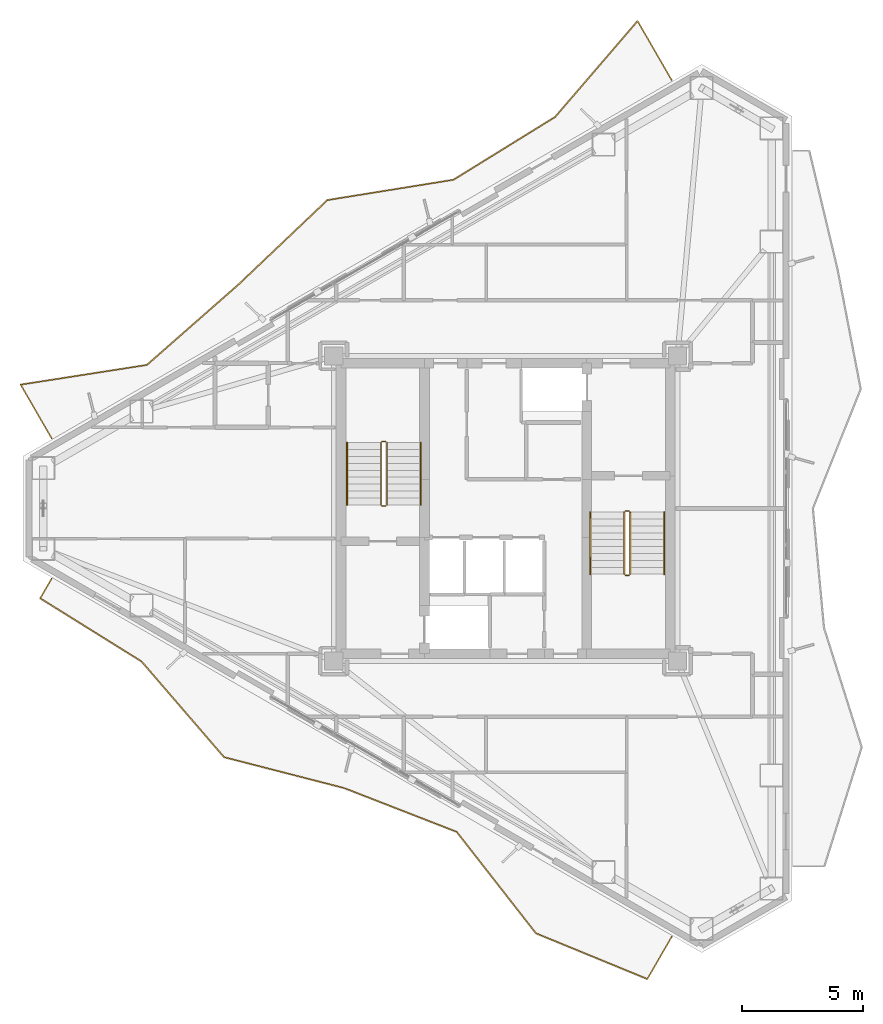
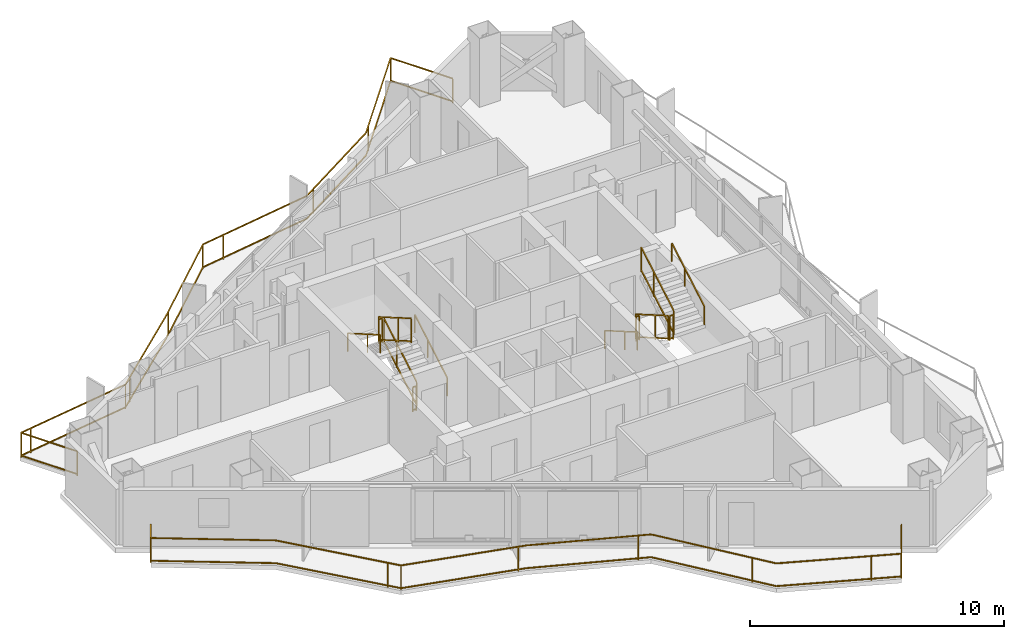
# One storey, part 20 of 21: 14 railings.
"""IFC4 building model written with IfcOpenShell, lengths in metres."""

from ifc_helpers import new_model, si_unit, direction, frame, origin, origin_2d, place, context, subcontext, project, spatial, rectangle, extrude, material, type_object, element, save


model = new_model("IFC4")

# Units and contexts
model_context = context("Model", 3, precision=1e-05, world=origin(), true_north=direction((0.0, 1.0)))
body_context = subcontext(model_context, "Body", "Model", "MODEL_VIEW")
ifc_project = project(units=[si_unit("LENGTHUNIT", "METRE"), si_unit("AREAUNIT", "SQUARE_METRE"), si_unit("VOLUMEUNIT", "CUBIC_METRE"), si_unit("PLANEANGLEUNIT", "RADIAN"), si_unit("MASSUNIT", "GRAM", prefix="KILO")], contexts=[model_context])

# Site, building, storey
site_placement = place(None, origin())
site = spatial("IfcSite", under=ifc_project, at=site_placement, CompositionType="ELEMENT")
building_placement = place(site_placement, origin())
building = spatial("IfcBuilding", under=site, at=building_placement, Name="Mersakhor Tower and Convention Hall", CompositionType="ELEMENT")
storey_placement = place(building_placement, frame((0.0, 0.0, 185.39990234375)))
storey = spatial("IfcBuildingStorey", under=building, at=storey_placement, Name="L51", CompositionType="ELEMENT", Elevation=185.39990234375)

# Railings
ifc_material_1 = material(Name="Powder-coated galvanised steel and laminated glass balustrade", Category="steel")
railing_type_1 = type_object("IfcRailingType", Name="RL-BAL-1200", PredefinedType="BALUSTRADE", material=ifc_material_1)
railing_1_placement = place(storey_placement, frame((35.86669921875, 44.44189453125, 0.0)))
element("IfcRailing", 1, at=railing_1_placement, inside=storey, type_object=railing_type_1, Name="L51 Sinusoidal Balcony Balustrade F1", PredefinedType="BALUSTRADE", context=body_context, shape_type="SweptSolid", body=[
    extrude(rectangle(XDim=0.048095703125, YDim=0.048095703125, at=origin_2d()), frame((0.0, 0.0, 1.17578125), z_axis=(-0.499947271324, 0.866055844559, 0.0), x_axis=(-0.866055844559, -0.499947271324, 0.0)), (0.0, 0.0, 1.0), 2.820068359375),
    extrude(rectangle(XDim=0.048095703125, YDim=0.048095703125, at=origin_2d()), frame((0.0, 0.0, 0.080078125), z_axis=(-0.499947271324, 0.866055844559, 0.0), x_axis=(-0.866055844559, -0.499947271324, 0.0)), (0.0, 0.0, 1.0), 2.820068359375),
    extrude(rectangle(XDim=0.048095703125, YDim=0.048095703125, at=origin_2d()), frame((-1.409912109375, 2.4423828125, 1.17578125), z_axis=(-0.651637408429, -0.758530611074, 0.0), x_axis=(0.758530611074, -0.651637408429, 0.0)), (0.0, 0.0, 1.0), 5.225830078125),
    extrude(rectangle(XDim=0.048095703125, YDim=0.048095703125, at=origin_2d()), frame((-1.409912109375, 2.4423828125, 0.080078125), z_axis=(-0.651637408429, -0.758530611074, 0.0), x_axis=(0.758530611074, -0.651637408429, 0.0)), (0.0, 0.0, 1.0), 5.225830078125),
    extrude(rectangle(XDim=0.048095703125, YDim=0.048095703125, at=origin_2d()), frame((-4.815185546875, -1.521484375, 1.17578125), z_axis=(-0.850659356328, -0.525717280952, 0.0), x_axis=(0.525717280952, -0.850659356328, 0.0)), (0.0, 0.0, 1.0), 4.933349609375),
    extrude(rectangle(XDim=0.048095703125, YDim=0.048095703125, at=origin_2d()), frame((-4.815185546875, -1.521484375, 0.080078125), z_axis=(-0.850659356328, -0.525717280952, 0.0), x_axis=(0.525717280952, -0.850659356328, 0.0)), (0.0, 0.0, 1.0), 4.933349609375),
    extrude(rectangle(XDim=0.048095703125, YDim=0.048095703125, at=origin_2d()), frame((-9.01171875, -4.114990234375, 1.17578125), z_axis=(-0.987273480259, -0.159031679789, 0.0), x_axis=(0.159031679789, -0.987273480259, 0.0)), (0.0, 0.0, 1.0), 5.2763671875),
    extrude(rectangle(XDim=0.048095703125, YDim=0.048095703125, at=origin_2d()), frame((-9.01171875, -4.114990234375, 0.080078125), z_axis=(-0.987273480259, -0.159031679789, 0.0), x_axis=(0.159031679789, -0.987273480259, 0.0)), (0.0, 0.0, 1.0), 5.2763671875),
    extrude(rectangle(XDim=0.048095703125, YDim=0.048095703125, at=origin_2d()), frame((-14.220947265625, -4.9541015625, 1.17578125), z_axis=(-0.725140044351, -0.688601420328, 0.0), x_axis=(0.688601420328, -0.725140044351, 0.0)), (0.0, 0.0, 1.0), 5.071533203125),
    extrude(rectangle(XDim=0.048095703125, YDim=0.048095703125, at=origin_2d()), frame((-14.220947265625, -4.9541015625, 0.080078125), z_axis=(-0.725140044351, -0.688601420328, 0.0), x_axis=(0.688601420328, -0.725140044351, 0.0)), (0.0, 0.0, 1.0), 5.071533203125),
    extrude(rectangle(XDim=0.048095703125, YDim=0.048095703125, at=origin_2d()), frame((-17.8984375, -8.4462890625, 1.17578125), z_axis=(-0.751387378187, -0.65986135506, 0.0), x_axis=(0.65986135506, -0.751387378187, 0.0)), (0.0, 0.0, 1.0), 5.028076171875),
    extrude(rectangle(XDim=0.048095703125, YDim=0.048095703125, at=origin_2d()), frame((-17.8984375, -8.4462890625, 0.080078125), z_axis=(-0.751387378187, -0.65986135506, 0.0), x_axis=(0.65986135506, -0.751387378187, 0.0)), (0.0, 0.0, 1.0), 5.028076171875),
    extrude(rectangle(XDim=0.048095703125, YDim=0.048095703125, at=origin_2d()), frame((-21.676513671875, -11.76416015625, 1.17578125), z_axis=(-0.988038874496, -0.154205001493, 0.0), x_axis=(0.154205001493, -0.988038874496, 0.0)), (0.0, 0.0, 1.0), 5.286376953125),
    extrude(rectangle(XDim=0.048095703125, YDim=0.048095703125, at=origin_2d()), frame((-21.676513671875, -11.76416015625, 0.080078125), z_axis=(-0.988038874496, -0.154205001493, 0.0), x_axis=(0.154205001493, -0.988038874496, 0.0)), (0.0, 0.0, 1.0), 5.286376953125),
    extrude(rectangle(XDim=0.048095703125, YDim=0.048095703125, at=origin_2d()), frame((-26.899658203125, -12.579345703125, 1.17578125), z_axis=(0.500022914263, -0.866012173824, 0.0), x_axis=(0.866012173824, 0.500022914263, 0.0)), (0.0, 0.0, 1.0), 2.5556640625),
    extrude(rectangle(XDim=0.048095703125, YDim=0.048095703125, at=origin_2d()), frame((-26.899658203125, -12.579345703125, 0.080078125), z_axis=(0.500022914263, -0.866012173824, 0.0), x_axis=(0.866012173824, 0.500022914263, 0.0)), (0.0, 0.0, 1.0), 2.5556640625),
    extrude(rectangle(XDim=0.0419921875, YDim=0.0419921875, at=origin_2d()), origin(), (0.0, 0.0, 1.0), 1.15185546875),
    extrude(rectangle(XDim=0.0419921875, YDim=0.0419921875, at=origin_2d()), frame((-1.409912109375, 2.4423828125, 0.0)), (0.0, 0.0, 1.0), 1.15185546875),
    extrude(rectangle(XDim=0.0419921875, YDim=0.0419921875, at=origin_2d()), frame((-4.537841796875, -1.198486328125, 0.0)), (0.0, 0.0, 1.0), 1.15185546875),
    extrude(rectangle(XDim=0.0419921875, YDim=0.0419921875, at=origin_2d()), frame((-8.5361328125, -3.821044921875, 0.0)), (0.0, 0.0, 1.0), 1.15185546875),
    extrude(rectangle(XDim=0.0419921875, YDim=0.0419921875, at=origin_2d()), frame((-13.19873046875, -4.78955078125, 0.0)), (0.0, 0.0, 1.0), 1.15185546875),
    extrude(rectangle(XDim=0.0419921875, YDim=0.0419921875, at=origin_2d()), frame((-14.220947265625, -4.9541015625, 0.0)), (0.0, 0.0, 1.0), 1.15185546875),
    extrude(rectangle(XDim=0.0419921875, YDim=0.0419921875, at=origin_2d()), frame((-17.70166015625, -8.25927734375, 0.0)), (0.0, 0.0, 1.0), 1.15185546875),
    extrude(rectangle(XDim=0.0419921875, YDim=0.0419921875, at=origin_2d()), frame((-21.30126953125, -11.4345703125, 0.0)), (0.0, 0.0, 1.0), 1.15185546875),
    extrude(rectangle(XDim=0.0419921875, YDim=0.0419921875, at=origin_2d()), frame((-21.676513671875, -11.76416015625, 0.0)), (0.0, 0.0, 1.0), 1.15185546875),
    extrude(rectangle(XDim=0.0419921875, YDim=0.0419921875, at=origin_2d()), frame((-26.419189453125, -12.50439453125, 0.0)), (0.0, 0.0, 1.0), 1.15185546875),
    extrude(rectangle(XDim=0.0419921875, YDim=0.0419921875, at=origin_2d()), frame((-26.899658203125, -12.579345703125, 0.0)), (0.0, 0.0, 1.0), 1.15185546875),
    extrude(rectangle(XDim=0.0419921875, YDim=0.0419921875, at=origin_2d()), frame((-25.621826171875, -14.79248046875, 0.0)), (0.0, 0.0, 1.0), 1.15185546875),
])
railing_2_placement = place(storey_placement, frame((10.244873046875, 23.8505859375, 0.0)))
element("IfcRailing", 2, at=railing_2_placement, inside=storey, type_object=railing_type_1, Name="L51 Sinusoidal Balcony Balustrade F3", PredefinedType="BALUSTRADE", context=body_context, shape_type="SweptSolid", body=[
    extrude(rectangle(XDim=0.048095703125, YDim=0.048095703125, at=origin_2d()), frame((0.0, 0.0, 1.17578125), z_axis=(-0.499994232587, -0.866028733576, 0.0), x_axis=(0.866028733576, -0.499994232587, 0.0)), (0.0, 0.0, 1.0), 0.93310546875),
    extrude(rectangle(XDim=0.048095703125, YDim=0.048095703125, at=origin_2d()), frame((0.0, 0.0, 0.080078125), z_axis=(-0.499994232587, -0.866028733576, 0.0), x_axis=(0.866028733576, -0.499994232587, 0.0)), (0.0, 0.0, 1.0), 0.93310546875),
    extrude(rectangle(XDim=0.048095703125, YDim=0.048095703125, at=origin_2d()), frame((-0.466552734375, -0.80810546875, 1.17578125), z_axis=(0.848623229706, -0.528997744799, 0.0), x_axis=(0.528997744799, 0.848623229706, 0.0)), (0.0, 0.0, 1.0), 4.93359375),
    extrude(rectangle(XDim=0.048095703125, YDim=0.048095703125, at=origin_2d()), frame((-0.466552734375, -0.80810546875, 0.080078125), z_axis=(0.848623229706, -0.528997744799, 0.0), x_axis=(0.528997744799, 0.848623229706, 0.0)), (0.0, 0.0, 1.0), 4.93359375),
    extrude(rectangle(XDim=0.048095703125, YDim=0.048095703125, at=origin_2d()), frame((3.72021484375, -3.41796875, 1.17578125), z_axis=(0.6530330189, -0.757329437052, 0.0), x_axis=(0.757329437052, 0.6530330189, 0.0)), (0.0, 0.0, 1.0), 5.222412109375),
    extrude(rectangle(XDim=0.048095703125, YDim=0.048095703125, at=origin_2d()), frame((3.72021484375, -3.41796875, 0.080078125), z_axis=(0.6530330189, -0.757329437052, 0.0), x_axis=(0.757329437052, 0.6530330189, 0.0)), (0.0, 0.0, 1.0), 5.222412109375),
    extrude(rectangle(XDim=0.048095703125, YDim=0.048095703125, at=origin_2d()), frame((7.130615234375, -7.373046875, 1.17578125), z_axis=(0.96850213457, -0.249005251617, 0.0), x_axis=(0.249005251617, 0.96850213457, 0.0)), (0.0, 0.0, 1.0), 5.118896484375),
    extrude(rectangle(XDim=0.048095703125, YDim=0.048095703125, at=origin_2d()), frame((7.130615234375, -7.373046875, 0.080078125), z_axis=(0.96850213457, -0.249005251617, 0.0), x_axis=(0.249005251617, 0.96850213457, 0.0)), (0.0, 0.0, 1.0), 5.118896484375),
    extrude(rectangle(XDim=0.048095703125, YDim=0.048095703125, at=origin_2d()), frame((12.08837890625, -8.647705078125, 1.17578125), z_axis=(0.931978036527, -0.362514743743, 0.0), x_axis=(0.362514743743, 0.931978036527, 0.0)), (0.0, 0.0, 1.0), 4.989013671875),
    extrude(rectangle(XDim=0.048095703125, YDim=0.048095703125, at=origin_2d()), frame((12.08837890625, -8.647705078125, 0.080078125), z_axis=(0.931978036527, -0.362514743743, 0.0), x_axis=(0.362514743743, 0.931978036527, 0.0)), (0.0, 0.0, 1.0), 4.989013671875),
    extrude(rectangle(XDim=0.048095703125, YDim=0.048095703125, at=origin_2d()), frame((16.738037109375, -10.456298828125, 1.17578125), z_axis=(0.615544264678, -0.788102314564, 0.0), x_axis=(0.788102314564, 0.615544264678, 0.0)), (0.0, 0.0, 1.0), 5.318359375),
    extrude(rectangle(XDim=0.048095703125, YDim=0.048095703125, at=origin_2d()), frame((16.738037109375, -10.456298828125, 0.080078125), z_axis=(0.615544264678, -0.788102314564, 0.0), x_axis=(0.788102314564, 0.615544264678, 0.0)), (0.0, 0.0, 1.0), 5.318359375),
    extrude(rectangle(XDim=0.048095703125, YDim=0.048095703125, at=origin_2d()), frame((20.01171875, -14.647705078125, 1.17578125), z_axis=(0.925182313087, -0.379522973681, 0.0), x_axis=(0.379522973681, 0.925182313087, 0.0)), (0.0, 0.0, 1.0), 4.975830078125),
    extrude(rectangle(XDim=0.048095703125, YDim=0.048095703125, at=origin_2d()), frame((20.01171875, -14.647705078125, 0.080078125), z_axis=(0.925182313087, -0.379522973681, 0.0), x_axis=(0.379522973681, 0.925182313087, 0.0)), (0.0, 0.0, 1.0), 4.975830078125),
    extrude(rectangle(XDim=0.048095703125, YDim=0.048095703125, at=origin_2d()), frame((24.615234375, -16.5361328125, 1.17578125), z_axis=(0.499960381356, 0.866048276411, 0.0), x_axis=(-0.866048276411, 0.499960381356, 0.0)), (0.0, 0.0, 1.0), 2.013427734375),
    extrude(rectangle(XDim=0.048095703125, YDim=0.048095703125, at=origin_2d()), frame((24.615234375, -16.5361328125, 0.080078125), z_axis=(0.499960381356, 0.866048276411, 0.0), x_axis=(-0.866048276411, 0.499960381356, 0.0)), (0.0, 0.0, 1.0), 2.013427734375),
    extrude(rectangle(XDim=0.0419921875, YDim=0.0419921875, at=origin_2d()), origin(), (0.0, 0.0, 1.0), 1.15185546875),
    extrude(rectangle(XDim=0.0419921875, YDim=0.0419921875, at=origin_2d()), frame((-0.466552734375, -0.80810546875, 0.0)), (0.0, 0.0, 1.0), 1.15185546875),
    extrude(rectangle(XDim=0.0419921875, YDim=0.0419921875, at=origin_2d()), frame((6.767578125, -6.951904296875, 0.0)), (0.0, 0.0, 1.0), 1.15185546875),
    extrude(rectangle(XDim=0.0419921875, YDim=0.0419921875, at=origin_2d()), frame((7.130615234375, -7.373046875, 0.0)), (0.0, 0.0, 1.0), 1.15185546875),
    extrude(rectangle(XDim=0.0419921875, YDim=0.0419921875, at=origin_2d()), frame((11.779541015625, -8.568359375, 0.0)), (0.0, 0.0, 1.0), 1.15185546875),
    extrude(rectangle(XDim=0.0419921875, YDim=0.0419921875, at=origin_2d()), frame((16.2646484375, -10.272216796875, 0.0)), (0.0, 0.0, 1.0), 1.15185546875),
    extrude(rectangle(XDim=0.0419921875, YDim=0.0419921875, at=origin_2d()), frame((19.3798828125, -13.8388671875, 0.0)), (0.0, 0.0, 1.0), 1.15185546875),
    extrude(rectangle(XDim=0.0419921875, YDim=0.0419921875, at=origin_2d()), frame((23.5029296875, -16.079833984375, 0.0)), (0.0, 0.0, 1.0), 1.15185546875),
    extrude(rectangle(XDim=0.0419921875, YDim=0.0419921875, at=origin_2d()), frame((24.615234375, -16.5361328125, 0.0)), (0.0, 0.0, 1.0), 1.15185546875),
    extrude(rectangle(XDim=0.0419921875, YDim=0.0419921875, at=origin_2d()), frame((25.621826171875, -14.79248046875, 0.0)), (0.0, 0.0, 1.0), 1.15185546875),
])
ifc_material_2 = material(Name="Brushed stainless steel handrail", Category="steel")
railing_type_2 = type_object("IfcRailingType", Name="RL-HR-900", PredefinedType="HANDRAIL", material=ifc_material_2)
railing_3_placement = place(storey_placement, frame((25.5, 26.89990234375, 0.1650390625)))
element("IfcRailing", 3, at=railing_3_placement, inside=storey, type_object=railing_type_2, Name="L51 ST-1 stair handrail 1", PredefinedType="HANDRAIL", context=body_context, shape_type="SweptSolid", body=[
    extrude(rectangle(XDim=0.048095703125, YDim=0.048095703125, at=origin_2d()), frame((0.0, 0.0, 0.8759765625), z_axis=(0.0, 0.865426285481, 0.501036270542), x_axis=(-1.0, 0.0, 0.0)), (0.0, 0.0, 1.0), 2.964111328125),
    extrude(rectangle(XDim=0.0419921875, YDim=0.0419921875, at=origin_2d()), origin(), (0.0, 0.0, 1.0), 0.851806640625),
    extrude(rectangle(XDim=0.0419921875, YDim=0.0419921875, at=origin_2d()), frame((0.0, 1.557861328125, 0.90185546875)), (0.0, 0.0, 1.0), 0.851806640625),
    extrude(rectangle(XDim=0.0419921875, YDim=0.0419921875, at=origin_2d()), frame((0.0, 2.565185546875, 1.485107421875)), (0.0, 0.0, 1.0), 0.851806640625),
])
railing_4_placement = place(storey_placement, frame((22.449951171875, 29.465087890625, 1.815185546875)))
element("IfcRailing", 4, at=railing_4_placement, inside=storey, type_object=railing_type_2, Name="L51 ST-1 stair handrail 2", PredefinedType="HANDRAIL", context=body_context, shape_type="SweptSolid", body=[
    extrude(rectangle(XDim=0.048095703125, YDim=0.048095703125, at=origin_2d()), frame((0.0, 0.0, 0.8759765625), z_axis=(0.0, -0.865461999751, 0.500974577186), x_axis=(1.0, 0.0, 0.0)), (0.0, 0.0, 1.0), 2.9638671875),
    extrude(rectangle(XDim=0.0419921875, YDim=0.0419921875, at=origin_2d()), origin(), (0.0, 0.0, 1.0), 0.851806640625),
    extrude(rectangle(XDim=0.0419921875, YDim=0.0419921875, at=origin_2d()), frame((0.0, -1.557861328125, 0.90185546875)), (0.0, 0.0, 1.0), 0.851806640625),
    extrude(rectangle(XDim=0.0419921875, YDim=0.0419921875, at=origin_2d()), frame((0.0, -2.565185546875, 1.48486328125)), (0.0, 0.0, 1.0), 0.851806640625),
])
railing_5_placement = place(storey_placement, frame((32.5, 26.60009765625, 0.1650390625)))
element("IfcRailing", 5, at=railing_5_placement, inside=storey, type_object=railing_type_2, Name="L51 ST-2 stair handrail 1", PredefinedType="HANDRAIL", context=body_context, shape_type="SweptSolid", body=[
    extrude(rectangle(XDim=0.048095703125, YDim=0.048095703125, at=origin_2d()), frame((0.0, 0.0, 0.8759765625), z_axis=(0.0, -0.865426285481, 0.501036270542), x_axis=(1.0, 0.0, 0.0)), (0.0, 0.0, 1.0), 2.964111328125),
    extrude(rectangle(XDim=0.0419921875, YDim=0.0419921875, at=origin_2d()), origin(), (0.0, 0.0, 1.0), 0.851806640625),
    extrude(rectangle(XDim=0.0419921875, YDim=0.0419921875, at=origin_2d()), frame((0.0, -1.557861328125, 0.90185546875)), (0.0, 0.0, 1.0), 0.851806640625),
    extrude(rectangle(XDim=0.0419921875, YDim=0.0419921875, at=origin_2d()), frame((0.0, -2.565185546875, 1.485107421875)), (0.0, 0.0, 1.0), 0.851806640625),
])
railing_6_placement = place(storey_placement, frame((35.550048828125, 24.034912109375, 1.815185546875)))
element("IfcRailing", 6, at=railing_6_placement, inside=storey, type_object=railing_type_2, Name="L51 ST-2 stair handrail 2", PredefinedType="HANDRAIL", context=body_context, shape_type="SweptSolid", body=[
    extrude(rectangle(XDim=0.048095703125, YDim=0.048095703125, at=origin_2d()), frame((0.0, 0.0, 0.8759765625), z_axis=(0.0, 0.865461999751, 0.500974577186), x_axis=(-1.0, 0.0, 0.0)), (0.0, 0.0, 1.0), 2.9638671875),
    extrude(rectangle(XDim=0.0419921875, YDim=0.0419921875, at=origin_2d()), origin(), (0.0, 0.0, 1.0), 0.851806640625),
    extrude(rectangle(XDim=0.0419921875, YDim=0.0419921875, at=origin_2d()), frame((0.0, 1.557861328125, 0.90185546875)), (0.0, 0.0, 1.0), 0.851806640625),
    extrude(rectangle(XDim=0.0419921875, YDim=0.0419921875, at=origin_2d()), frame((0.0, 2.565185546875, 1.48486328125)), (0.0, 0.0, 1.0), 0.851806640625),
])
ifc_material_3 = material(Name="Painted steel stair balustrade S355", Category="steel")
railing_type_3 = type_object("IfcRailingType", Name="RL-STG-1200", PredefinedType="BALUSTRADE", material=ifc_material_3)
railing_7_placement = place(storey_placement, frame((24.10009765625, 26.89990234375, 0.1650390625)))
element("IfcRailing", 7, at=railing_7_placement, inside=storey, type_object=railing_type_3, Name="L51 ST-1 stair guard 1", PredefinedType="BALUSTRADE", context=body_context, shape_type="SweptSolid", body=[
    extrude(rectangle(XDim=0.048095703125, YDim=0.048095703125, at=origin_2d()), frame((0.0, 0.0, 1.17578125), z_axis=(0.0, 0.865426285481, 0.501036270542), x_axis=(-1.0, 0.0, 0.0)), (0.0, 0.0, 1.0), 2.964111328125),
    extrude(rectangle(XDim=0.048095703125, YDim=0.048095703125, at=origin_2d()), frame((0.0, 0.0, 0.080078125), z_axis=(0.0, 0.865426285481, 0.501036270542), x_axis=(-1.0, 0.0, 0.0)), (0.0, 0.0, 1.0), 2.964111328125),
    extrude(rectangle(XDim=0.0419921875, YDim=0.0419921875, at=origin_2d()), origin(), (0.0, 0.0, 1.0), 1.15185546875),
    extrude(rectangle(XDim=0.0419921875, YDim=0.0419921875, at=origin_2d()), frame((0.0, 1.557861328125, 0.90185546875)), (0.0, 0.0, 1.0), 1.15185546875),
    extrude(rectangle(XDim=0.0419921875, YDim=0.0419921875, at=origin_2d()), frame((0.0, 2.565185546875, 1.485107421875)), (0.0, 0.0, 1.0), 1.15185546875),
])
railing_8_placement = place(storey_placement, frame((24.050048828125, 29.514892578125, 1.650146484375)))
element("IfcRailing", 8, at=railing_8_placement, inside=storey, type_object=railing_type_3, Name="L51 ST-1 stair guard 2", PredefinedType="BALUSTRADE", context=body_context, shape_type="SweptSolid", body=[
    extrude(rectangle(XDim=0.048095703125, YDim=0.048095703125, at=origin_2d()), frame((0.0, 0.0, 1.17578125), z_axis=(-1.0, 0.0, 0.0), x_axis=(0.0, -1.0, 0.0)), (0.0, 0.0, 1.0), 0.150146484375),
    extrude(rectangle(XDim=0.048095703125, YDim=0.048095703125, at=origin_2d()), frame((0.0, 0.0, 0.080078125), z_axis=(-1.0, 0.0, 0.0), x_axis=(0.0, -1.0, 0.0)), (0.0, 0.0, 1.0), 0.150146484375),
    extrude(rectangle(XDim=0.0419921875, YDim=0.0419921875, at=origin_2d()), origin(), (0.0, 0.0, 1.0), 1.15185546875),
    extrude(rectangle(XDim=0.0419921875, YDim=0.0419921875, at=origin_2d()), frame((-0.150146484375, 0.0, 0.0)), (0.0, 0.0, 1.0), 1.15185546875),
])
railing_9_placement = place(storey_placement, frame((23.85009765625, 29.465087890625, 1.815185546875)))
element("IfcRailing", 9, at=railing_9_placement, inside=storey, type_object=railing_type_3, Name="L51 ST-1 stair guard 3", PredefinedType="BALUSTRADE", context=body_context, shape_type="SweptSolid", body=[
    extrude(rectangle(XDim=0.048095703125, YDim=0.048095703125, at=origin_2d()), frame((0.0, 0.0, 1.17578125), z_axis=(0.0, -0.865461999751, 0.500974577186), x_axis=(1.0, 0.0, 0.0)), (0.0, 0.0, 1.0), 2.9638671875),
    extrude(rectangle(XDim=0.048095703125, YDim=0.048095703125, at=origin_2d()), frame((0.0, 0.0, 0.080078125), z_axis=(0.0, -0.865461999751, 0.500974577186), x_axis=(1.0, 0.0, 0.0)), (0.0, 0.0, 1.0), 2.9638671875),
    extrude(rectangle(XDim=0.0419921875, YDim=0.0419921875, at=origin_2d()), origin(), (0.0, 0.0, 1.0), 1.15185546875),
    extrude(rectangle(XDim=0.0419921875, YDim=0.0419921875, at=origin_2d()), frame((0.0, -1.557861328125, 0.90185546875)), (0.0, 0.0, 1.0), 1.15185546875),
    extrude(rectangle(XDim=0.0419921875, YDim=0.0419921875, at=origin_2d()), frame((0.0, -2.565185546875, 1.48486328125)), (0.0, 0.0, 1.0), 1.15185546875),
])
railing_10_placement = place(storey_placement, frame((24.050048828125, 26.85009765625, 0.0)))
element("IfcRailing", 10, at=railing_10_placement, inside=storey, type_object=railing_type_3, Name="L51 ST-1 stair guard 4", PredefinedType="BALUSTRADE", context=body_context, shape_type="SweptSolid", body=[
    extrude(rectangle(XDim=0.048095703125, YDim=0.048095703125, at=origin_2d()), frame((0.0, 0.0, 1.17578125), z_axis=(-1.0, 0.0, 0.0), x_axis=(0.0, -1.0, 0.0)), (0.0, 0.0, 1.0), 0.150146484375),
    extrude(rectangle(XDim=0.048095703125, YDim=0.048095703125, at=origin_2d()), frame((0.0, 0.0, 0.080078125), z_axis=(-1.0, 0.0, 0.0), x_axis=(0.0, -1.0, 0.0)), (0.0, 0.0, 1.0), 0.150146484375),
    extrude(rectangle(XDim=0.0419921875, YDim=0.0419921875, at=origin_2d()), origin(), (0.0, 0.0, 1.0), 1.15185546875),
    extrude(rectangle(XDim=0.0419921875, YDim=0.0419921875, at=origin_2d()), frame((-0.150146484375, 0.0, 0.0)), (0.0, 0.0, 1.0), 1.15185546875),
])
railing_11_placement = place(storey_placement, frame((33.89990234375, 26.60009765625, 0.1650390625)))
element("IfcRailing", 11, at=railing_11_placement, inside=storey, type_object=railing_type_3, Name="L51 ST-2 stair guard 1", PredefinedType="BALUSTRADE", context=body_context, shape_type="SweptSolid", body=[
    extrude(rectangle(XDim=0.048095703125, YDim=0.048095703125, at=origin_2d()), frame((0.0, 0.0, 1.17578125), z_axis=(0.0, -0.865426285481, 0.501036270542), x_axis=(1.0, 0.0, 0.0)), (0.0, 0.0, 1.0), 2.964111328125),
    extrude(rectangle(XDim=0.048095703125, YDim=0.048095703125, at=origin_2d()), frame((0.0, 0.0, 0.080078125), z_axis=(0.0, -0.865426285481, 0.501036270542), x_axis=(1.0, 0.0, 0.0)), (0.0, 0.0, 1.0), 2.964111328125),
    extrude(rectangle(XDim=0.0419921875, YDim=0.0419921875, at=origin_2d()), origin(), (0.0, 0.0, 1.0), 1.15185546875),
    extrude(rectangle(XDim=0.0419921875, YDim=0.0419921875, at=origin_2d()), frame((0.0, -1.557861328125, 0.90185546875)), (0.0, 0.0, 1.0), 1.15185546875),
    extrude(rectangle(XDim=0.0419921875, YDim=0.0419921875, at=origin_2d()), frame((0.0, -2.565185546875, 1.485107421875)), (0.0, 0.0, 1.0), 1.15185546875),
])
railing_12_placement = place(storey_placement, frame((33.949951171875, 23.985107421875, 1.650146484375)))
element("IfcRailing", 12, at=railing_12_placement, inside=storey, type_object=railing_type_3, Name="L51 ST-2 stair guard 2", PredefinedType="BALUSTRADE", context=body_context, shape_type="SweptSolid", body=[
    extrude(rectangle(XDim=0.048095703125, YDim=0.048095703125, at=origin_2d()), frame((0.0, 0.0, 1.17578125), z_axis=(1.0, 0.0, 0.0), x_axis=(0.0, 1.0, 0.0)), (0.0, 0.0, 1.0), 0.150146484375),
    extrude(rectangle(XDim=0.048095703125, YDim=0.048095703125, at=origin_2d()), frame((0.0, 0.0, 0.080078125), z_axis=(1.0, 0.0, 0.0), x_axis=(0.0, 1.0, 0.0)), (0.0, 0.0, 1.0), 0.150146484375),
    extrude(rectangle(XDim=0.0419921875, YDim=0.0419921875, at=origin_2d()), origin(), (0.0, 0.0, 1.0), 1.15185546875),
    extrude(rectangle(XDim=0.0419921875, YDim=0.0419921875, at=origin_2d()), frame((0.150146484375, 0.0, 0.0)), (0.0, 0.0, 1.0), 1.15185546875),
])
railing_13_placement = place(storey_placement, frame((34.14990234375, 24.034912109375, 1.815185546875)))
element("IfcRailing", 13, at=railing_13_placement, inside=storey, type_object=railing_type_3, Name="L51 ST-2 stair guard 3", PredefinedType="BALUSTRADE", context=body_context, shape_type="SweptSolid", body=[
    extrude(rectangle(XDim=0.048095703125, YDim=0.048095703125, at=origin_2d()), frame((0.0, 0.0, 1.17578125), z_axis=(0.0, 0.865461999751, 0.500974577186), x_axis=(-1.0, 0.0, 0.0)), (0.0, 0.0, 1.0), 2.9638671875),
    extrude(rectangle(XDim=0.048095703125, YDim=0.048095703125, at=origin_2d()), frame((0.0, 0.0, 0.080078125), z_axis=(0.0, 0.865461999751, 0.500974577186), x_axis=(-1.0, 0.0, 0.0)), (0.0, 0.0, 1.0), 2.9638671875),
    extrude(rectangle(XDim=0.0419921875, YDim=0.0419921875, at=origin_2d()), origin(), (0.0, 0.0, 1.0), 1.15185546875),
    extrude(rectangle(XDim=0.0419921875, YDim=0.0419921875, at=origin_2d()), frame((0.0, 1.557861328125, 0.90185546875)), (0.0, 0.0, 1.0), 1.15185546875),
    extrude(rectangle(XDim=0.0419921875, YDim=0.0419921875, at=origin_2d()), frame((0.0, 2.565185546875, 1.48486328125)), (0.0, 0.0, 1.0), 1.15185546875),
])
railing_14_placement = place(storey_placement, frame((33.949951171875, 26.64990234375, 0.0)))
element("IfcRailing", 14, at=railing_14_placement, inside=storey, type_object=railing_type_3, Name="L51 ST-2 stair guard 4", PredefinedType="BALUSTRADE", context=body_context, shape_type="SweptSolid", body=[
    extrude(rectangle(XDim=0.048095703125, YDim=0.048095703125, at=origin_2d()), frame((0.0, 0.0, 1.17578125), z_axis=(1.0, 0.0, 0.0), x_axis=(0.0, 1.0, 0.0)), (0.0, 0.0, 1.0), 0.150146484375),
    extrude(rectangle(XDim=0.048095703125, YDim=0.048095703125, at=origin_2d()), frame((0.0, 0.0, 0.080078125), z_axis=(1.0, 0.0, 0.0), x_axis=(0.0, 1.0, 0.0)), (0.0, 0.0, 1.0), 0.150146484375),
    extrude(rectangle(XDim=0.0419921875, YDim=0.0419921875, at=origin_2d()), origin(), (0.0, 0.0, 1.0), 1.15185546875),
    extrude(rectangle(XDim=0.0419921875, YDim=0.0419921875, at=origin_2d()), frame((0.150146484375, 0.0, 0.0)), (0.0, 0.0, 1.0), 1.15185546875),
])

save(model, "model.ifc")
